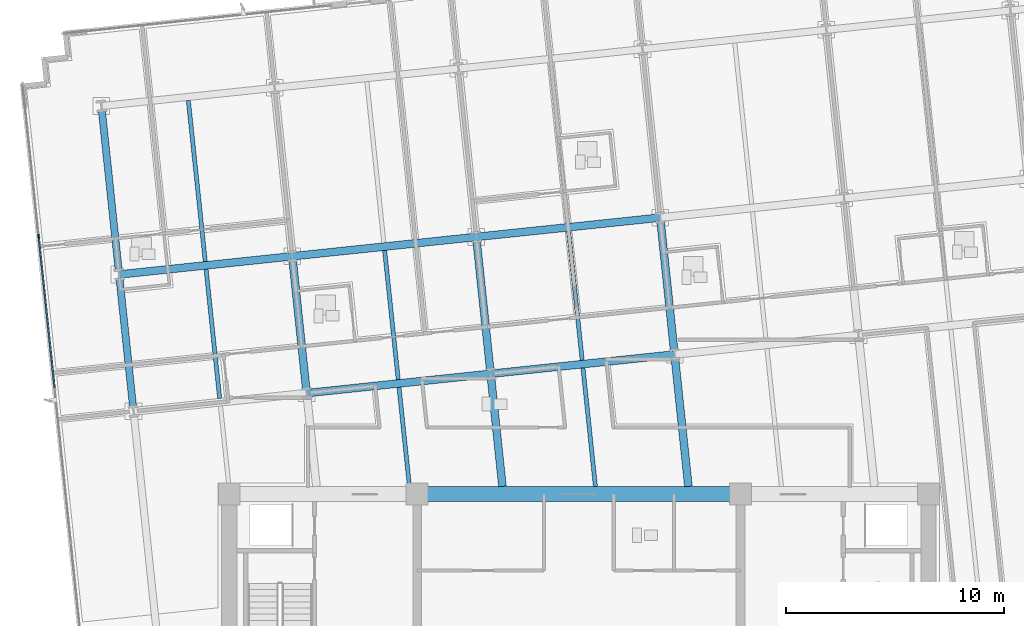
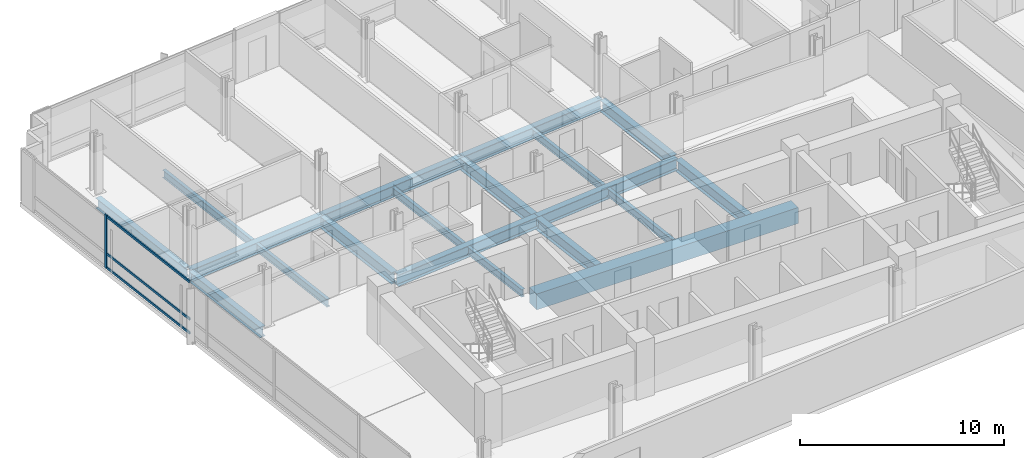
# One storey, part 3 of 20: 19 beams, 4 members, 1 element without a shape of its own.
"""IFC4 building model written with IfcOpenShell, lengths in metres."""

from ifc_helpers import new_model, si_unit, direction, frame, origin, origin_2d, place, context, subcontext, project, spatial, rectangle, i_section, extrude, material, material_profile, profile_set, type_object, element, aggregate, save


model = new_model("IFC4")

# Units and contexts
model_context = context("Model", 3, precision=1e-05, world=origin(), true_north=direction((0.0, 1.0)))
body_context = subcontext(model_context, "Body", "Model", "MODEL_VIEW")
ifc_project = project(units=[si_unit("LENGTHUNIT", "METRE"), si_unit("AREAUNIT", "SQUARE_METRE"), si_unit("VOLUMEUNIT", "CUBIC_METRE"), si_unit("PLANEANGLEUNIT", "RADIAN"), si_unit("MASSUNIT", "GRAM", prefix="KILO")], contexts=[model_context])

# Site, building, storey
site_placement = place(None, origin())
site = spatial("IfcSite", under=ifc_project, at=site_placement, CompositionType="ELEMENT")
building_placement = place(site_placement, origin())
building = spatial("IfcBuilding", under=site, at=building_placement, Name="Solmavex Isthmus Hotel", CompositionType="ELEMENT")
storey_placement = place(building_placement, frame((0.0, 0.0, 87.0)))
storey = spatial("IfcBuildingStorey", under=building, at=storey_placement, Name="L23", CompositionType="ELEMENT", Elevation=87.0)

# Beams
ifc_material_1 = material(Name="Steel ASTM A992 Grade 50", Category="steel")
ifc_material_profile_1 = material_profile(ifc_material_1, i_section(OverallWidth=0.354736328125, OverallDepth=0.695556640625, WebThickness=0.015380859375, FlangeThickness=0.02490234375, FilletRadius=0.017822265625, at=origin_2d()), Name="W27X146")
ifc_profile_set_1 = profile_set([ifc_material_profile_1], Name="Steel ASTM A992 Grade 50")
beam_type_1 = type_object("IfcBeamType", Name="BM-BG-W27X146", PredefinedType="BEAM", material=ifc_profile_set_1)
beam_1_placement = place(storey_placement, frame((-12.458740234375, 2.11865234375, -0.607666015625), z_axis=(0.994521085209, 0.104536171134, 0.0), x_axis=(-0.104536171134, 0.994521085209, 0.0)))
element("IfcBeam", 1, at=beam_1_placement, inside=storey, type_object=beam_type_1, Name="Floor Girder L23-UG08", PredefinedType="BEAM", context=body_context, shape_type="SweptSolid", body=[
    extrude(i_section(OverallWidth=0.354736328125, OverallDepth=0.695556640625, WebThickness=0.015380859375, FlangeThickness=0.02490234375, FilletRadius=0.017822265625, at=origin_2d()), origin(), (0.0, 0.0, 1.0), 8.466064453125),
])
beam_2_placement = place(storey_placement, frame((-4.0390625, 3.003662109375, -0.607666015625), z_axis=(0.994523767887, 0.104510645909, 0.0), x_axis=(-0.104510645909, 0.994523767887, 0.0)))
element("IfcBeam", 2, at=beam_2_placement, inside=storey, type_object=beam_type_1, Name="Floor Girder L23-UG09", PredefinedType="BEAM", context=body_context, shape_type="SweptSolid", body=[
    extrude(i_section(OverallWidth=0.354736328125, OverallDepth=0.695556640625, WebThickness=0.015380859375, FlangeThickness=0.02490234375, FilletRadius=0.017822265625, at=origin_2d()), origin(), (0.0, 0.0, 1.0), 8.4658203125),
])
beam_3_placement = place(storey_placement, frame((-21.04150390625, 7.54931640625, -0.607666015625), z_axis=(0.994523402738, 0.104514120609, 0.0), x_axis=(-0.104514120609, 0.994523402738, 0.0)))
element("IfcBeam", 3, at=beam_3_placement, inside=storey, type_object=beam_type_1, Name="Floor Girder L23-UG13", PredefinedType="BEAM", context=body_context, shape_type="SweptSolid", body=[
    extrude(i_section(OverallWidth=0.354736328125, OverallDepth=0.695556640625, WebThickness=0.015380859375, FlangeThickness=0.02490234375, FilletRadius=0.017822265625, at=origin_2d()), origin(), (0.0, 0.0, 1.0), 7.968017578125),
])
for number, where, z_axis, x_axis, name in (
    (4, (-13.1171875, 8.382080078125, -0.607666015625), (0.994521085209, 0.104536171134, 0.0), (-0.104536171134, 0.994521085209, 0.0), "Floor Girder L23-UG14"),
    (5, (-4.697509765625, 9.26708984375, -0.607666015625), (0.994521085209, 0.104536171134, 0.0), (-0.104536171134, 0.994521085209, 0.0), "Floor Girder L23-UG15"),
):
    element("IfcBeam", number, at=place(storey_placement, frame(where, z_axis=z_axis, x_axis=x_axis)), inside=storey, type_object=beam_type_1, Name=name, PredefinedType="BEAM", context=body_context, shape_type="SweptSolid", body=[
        extrude(i_section(OverallWidth=0.354736328125, OverallDepth=0.695556640625, WebThickness=0.015380859375, FlangeThickness=0.02490234375, FilletRadius=0.017822265625, at=origin_2d()), origin(), (0.0, 0.0, 1.0), 8.466064453125),
    ])
beam_4_placement = place(storey_placement, frame((-12.477294921875, 2.295166015625, -0.607666015625), z_axis=(-0.104545790518, 0.994520074048, 0.0), x_axis=(-0.994520074048, -0.104545790518, 0.0)))
element("IfcBeam", 6, at=beam_4_placement, inside=storey, type_object=beam_type_1, Name="Floor Beam L23-VG30", PredefinedType="BEAM", context=body_context, shape_type="SweptSolid", body=[
    extrude(i_section(OverallWidth=0.354736328125, OverallDepth=0.695556640625, WebThickness=0.015380859375, FlangeThickness=0.02490234375, FilletRadius=0.017822265625, at=origin_2d()), origin(), (0.0, 0.0, 1.0), 5.943115234375),
])
beam_5_placement = place(storey_placement, frame((-3.49755859375, -2.14990234375, -0.607666015625), z_axis=(-0.104496861251, 0.994525216366, 0.0), x_axis=(-0.994525216366, -0.104496861251, 0.0)))
element("IfcBeam", 7, at=beam_5_placement, inside=storey, type_object=beam_type_1, Name="Floor Beam L23-VG33", PredefinedType="BEAM", context=body_context, shape_type="SweptSolid", body=[
    extrude(i_section(OverallWidth=0.354736328125, OverallDepth=0.695556640625, WebThickness=0.015380859375, FlangeThickness=0.02490234375, FilletRadius=0.017822265625, at=origin_2d()), origin(), (0.0, 0.0, 1.0), 5.00439453125),
])
beam_6_placement = place(storey_placement, frame((-4.0576171875, 3.179931640625, -0.607666015625), z_axis=(-0.104545790518, 0.994520074048, 0.0), x_axis=(-0.994520074048, -0.104545790518, 0.0)))
element("IfcBeam", 8, at=beam_6_placement, inside=storey, type_object=beam_type_1, Name="Floor Beam L23-VG34", PredefinedType="BEAM", context=body_context, shape_type="SweptSolid", body=[
    extrude(i_section(OverallWidth=0.354736328125, OverallDepth=0.695556640625, WebThickness=0.015380859375, FlangeThickness=0.02490234375, FilletRadius=0.017822265625, at=origin_2d()), origin(), (0.0, 0.0, 1.0), 5.943115234375),
])
beam_7_placement = place(storey_placement, frame((5.01513671875, -2.14990234375, -0.607666015625), z_axis=(-0.104542482388, 0.994520421799, 0.0), x_axis=(-0.994520421799, -0.104542482388, 0.0)))
element("IfcBeam", 9, at=beam_7_placement, inside=storey, type_object=beam_type_1, Name="Floor Beam L23-VG37", PredefinedType="BEAM", context=body_context, shape_type="SweptSolid", body=[
    extrude(i_section(OverallWidth=0.354736328125, OverallDepth=0.695556640625, WebThickness=0.015380859375, FlangeThickness=0.02490234375, FilletRadius=0.017822265625, at=origin_2d()), origin(), (0.0, 0.0, 1.0), 5.894287109375),
])
beam_8_placement = place(storey_placement, frame((4.362060546875, 4.06494140625, -0.607666015625), z_axis=(-0.104545790518, 0.994520074048, 0.0), x_axis=(-0.994520074048, -0.104545790518, 0.0)))
element("IfcBeam", 10, at=beam_8_placement, inside=storey, type_object=beam_type_1, Name="Floor Beam L23-VG38", PredefinedType="BEAM", context=body_context, shape_type="SweptSolid", body=[
    extrude(i_section(OverallWidth=0.354736328125, OverallDepth=0.695556640625, WebThickness=0.015380859375, FlangeThickness=0.02490234375, FilletRadius=0.017822265625, at=origin_2d()), origin(), (0.0, 0.0, 1.0), 5.943115234375),
])
ifc_material_profile_2 = material_profile(ifc_material_1, i_section(OverallWidth=0.1904296875, OverallDepth=0.456787109375, WebThickness=0.009033203125, FlangeThickness=0.014404296875, FilletRadius=0.0126953125, at=origin_2d()), Name="W18X50")
ifc_profile_set_2 = profile_set([ifc_material_profile_2], Name="Steel ASTM A992 Grade 50")
beam_type_2 = type_object("IfcBeamType", Name="BM-BJ-W18X50", PredefinedType="JOIST", material=ifc_profile_set_2)
beam_9_placement = place(storey_placement, frame((-16.439453125, 1.878662109375, -0.488525390625), z_axis=(-0.104545790518, 0.994520074048, 0.0), x_axis=(-0.994520074048, -0.104545790518, 0.0)))
element("IfcBeam", 11, at=beam_9_placement, inside=storey, type_object=beam_type_2, Name="Secondary Floor Joist L23-J03", PredefinedType="JOIST", context=body_context, shape_type="SweptSolid", body=[
    extrude(i_section(OverallWidth=0.1904296875, OverallDepth=0.456787109375, WebThickness=0.009033203125, FlangeThickness=0.014404296875, FilletRadius=0.0126953125, at=origin_2d()), origin(), (0.0, 0.0, 1.0), 5.943115234375),
])
beam_10_placement = place(storey_placement, frame((-17.097900390625, 8.14208984375, -0.488525390625), z_axis=(-0.104525307271, 0.994522227072, 0.0), x_axis=(-0.994522227072, -0.104525307271, 0.0)))
element("IfcBeam", 12, at=beam_10_placement, inside=storey, type_object=beam_type_2, Name="Secondary Floor Joist L23-J04", PredefinedType="JOIST", context=body_context, shape_type="SweptSolid", body=[
    extrude(i_section(OverallWidth=0.1904296875, OverallDepth=0.456787109375, WebThickness=0.009033203125, FlangeThickness=0.014404296875, FilletRadius=0.0126953125, at=origin_2d()), origin(), (0.0, 0.0, 1.0), 7.4111328125),
])
beam_11_placement = place(storey_placement, frame((-7.75390625, -2.14990234375, -0.488525390625), z_axis=(-0.104517550263, 0.994523042311, 0.0), x_axis=(-0.994523042311, -0.104517550263, 0.0)))
element("IfcBeam", 13, at=beam_11_placement, inside=storey, type_object=beam_type_2, Name="Secondary Floor Joist L23-J06", PredefinedType="JOIST", context=body_context, shape_type="SweptSolid", body=[
    extrude(i_section(OverallWidth=0.1904296875, OverallDepth=0.456787109375, WebThickness=0.009033203125, FlangeThickness=0.014404296875, FilletRadius=0.0126953125, at=origin_2d()), origin(), (0.0, 0.0, 1.0), 4.5595703125),
])
beam_12_placement = place(storey_placement, frame((-8.267578125, 2.737548828125, -0.488525390625), z_axis=(-0.104505160346, 0.994524344328, 0.0), x_axis=(-0.994524344328, -0.104505160346, 0.0)))
element("IfcBeam", 14, at=beam_12_placement, inside=storey, type_object=beam_type_2, Name="Secondary Floor Joist L23-J07", PredefinedType="JOIST", context=body_context, shape_type="SweptSolid", body=[
    extrude(i_section(OverallWidth=0.1904296875, OverallDepth=0.456787109375, WebThickness=0.009033203125, FlangeThickness=0.014404296875, FilletRadius=0.0126953125, at=origin_2d()), origin(), (0.0, 0.0, 1.0), 5.943115234375),
])
beam_13_placement = place(storey_placement, frame((0.7587890625, -2.14990234375, -0.488525390625), z_axis=(-0.104523862956, 0.99452237887, 0.0), x_axis=(-0.99452237887, -0.104523862956, 0.0)))
element("IfcBeam", 15, at=beam_13_placement, inside=storey, type_object=beam_type_2, Name="Secondary Floor Joist L23-J10", PredefinedType="JOIST", context=body_context, shape_type="SweptSolid", body=[
    extrude(i_section(OverallWidth=0.1904296875, OverallDepth=0.456787109375, WebThickness=0.009033203125, FlangeThickness=0.014404296875, FilletRadius=0.0126953125, at=origin_2d()), origin(), (0.0, 0.0, 1.0), 5.44921875),
])
beam_14_placement = place(storey_placement, frame((0.152099609375, 3.62255859375, -0.488525390625), z_axis=(-0.104505160346, 0.994524344328, 0.0), x_axis=(-0.994524344328, -0.104505160346, 0.0)))
element("IfcBeam", 16, at=beam_14_placement, inside=storey, type_object=beam_type_2, Name="Secondary Floor Joist L23-J11", PredefinedType="JOIST", context=body_context, shape_type="SweptSolid", body=[
    extrude(i_section(OverallWidth=0.1904296875, OverallDepth=0.456787109375, WebThickness=0.009033203125, FlangeThickness=0.014404296875, FilletRadius=0.0126953125, at=origin_2d()), origin(), (0.0, 0.0, 1.0), 5.943115234375),
])
ifc_material_2 = material(Name="Concrete C60/75", Category="concrete")
ifc_material_profile_3 = material_profile(ifc_material_2, rectangle(XDim=0.699951171875, YDim=0.949951171875, at=origin_2d()), Name="RC700X950")
ifc_profile_set_3 = profile_set([ifc_material_profile_3], Name="Concrete C60/75")
beam_type_3 = type_object("IfcBeamType", Name="BM-CB-700X950", PredefinedType="BEAM", material=ifc_profile_set_3)
beam_15_placement = place(storey_placement, frame((-7.39990234375, -2.5, -0.735107421875), z_axis=(1.0, 0.0, 0.0), x_axis=(0.0, 1.0, 0.0)))
element("IfcBeam", 17, at=beam_15_placement, inside=storey, type_object=beam_type_3, Name="Core Coupling Beam L23-CB5", PredefinedType="BEAM", context=body_context, shape_type="SweptSolid", body=[
    extrude(rectangle(XDim=0.699951171875, YDim=0.949951171875, at=origin_2d()), origin(), (0.0, 0.0, 1.0), 14.7998046875),
])
ifc_material_profile_4 = material_profile(ifc_material_1, i_section(OverallWidth=0.326416015625, OverallDepth=0.621826171875, WebThickness=0.015380859375, FlangeThickness=0.0244140625, FilletRadius=0.01513671875, at=origin_2d()), Name="W24X131")
ifc_profile_set_4 = profile_set([ifc_material_profile_4], Name="Steel ASTM A992 Grade 50")
beam_type_4 = type_object("IfcBeamType", Name="BM-SP-W24X131", PredefinedType="SPANDREL", material=ifc_profile_set_4)
beam_16_placement = place(storey_placement, frame((-20.401611328125, 1.462158203125, -0.57080078125), z_axis=(-0.104545790518, 0.994520074048, 0.0), x_axis=(-0.994520074048, -0.104545790518, 0.0)))
element("IfcBeam", 18, at=beam_16_placement, inside=storey, type_object=beam_type_4, Name="Floor Beam L23-VG26", PredefinedType="SPANDREL", context=body_context, shape_type="SweptSolid", body=[
    extrude(i_section(OverallWidth=0.326416015625, OverallDepth=0.621826171875, WebThickness=0.015380859375, FlangeThickness=0.0244140625, FilletRadius=0.01513671875, at=origin_2d()), origin(), (0.0, 0.0, 1.0), 5.943115234375),
])
beam_17_placement = place(storey_placement, frame((-21.06005859375, 7.7255859375, -0.57080078125), z_axis=(-0.10452188296, 0.994522586964, 0.0), x_axis=(-0.994522586964, -0.10452188296, 0.0)))
element("IfcBeam", 19, at=beam_17_placement, inside=storey, type_object=beam_type_4, Name="Floor Beam L23-VG27", PredefinedType="SPANDREL", context=body_context, shape_type="SweptSolid", body=[
    extrude(i_section(OverallWidth=0.326416015625, OverallDepth=0.621826171875, WebThickness=0.015380859375, FlangeThickness=0.0244140625, FilletRadius=0.01513671875, at=origin_2d()), origin(), (0.0, 0.0, 1.0), 7.411376953125),
])

# Curtain wall, members
ifc_material_3 = material(Name="Aluminium alloy 6063-T6", Category="aluminium")
curtain_wall_type = type_object("IfcCurtainWallType", Name="CW-SYS-03", PredefinedType="NOTDEFINED", material=ifc_material_3)
curtain_wall_placement = place(storey_placement, origin())
curtain_wall = element("IfcCurtainWall", 20, at=curtain_wall_placement, inside=storey, type_object=curtain_wall_type, Name="Stick Curtain Wall CWL-L23-W1", PredefinedType="NOTDEFINED")
ifc_material_profile_5 = material_profile(ifc_material_3, rectangle(XDim=0.070068359375, YDim=0.179931640625, at=origin_2d()), Name="CWM-70X180")
ifc_profile_set_5 = profile_set([ifc_material_profile_5], Name="Aluminium alloy 6063-T6")
member_type_1 = type_object("IfcMemberType", Name="CW-SYS-03-MUL", PredefinedType="MULLION", material=ifc_profile_set_5)
member_1_placement = place(storey_placement, frame((-24.725341796875, 9.305908203125, 0.0), z_axis=(0.0, 0.0, 1.0), x_axis=(-0.994521893044, -0.104528485381, 0.0)))
member_1 = element("IfcMember", 21, at=member_1_placement, type_object=member_type_1, Name="CW-03 mullion 5", PredefinedType="MULLION", context=body_context, shape_type="SweptSolid", body=[
    extrude(rectangle(XDim=0.070068359375, YDim=0.179931640625, at=origin_2d()), origin(), (0.0, 0.0, 1.0), 3.18994140625),
])
ifc_material_profile_6 = material_profile(ifc_material_3, rectangle(XDim=0.070068359375, YDim=0.139892578125, at=origin_2d()), Name="CWT-70X140")
ifc_profile_set_6 = profile_set([ifc_material_profile_6], Name="Aluminium alloy 6063-T6")
member_type_2 = type_object("IfcMemberType", Name="CW-SYS-03-TRN", PredefinedType="USERDEFINED", material=ifc_profile_set_6)
member_2_placement = place(storey_placement, frame((-23.9951171875, 2.359130859375, 0.070068359375), z_axis=(-0.104542152467, 0.99452045648, 0.0), x_axis=(-0.99452045648, -0.104542152467, 0.0)))
member_2 = element("IfcMember", 22, at=member_2_placement, type_object=member_type_2, Name="CW-03 transom 4.1", ObjectType="TRANSOM", PredefinedType="USERDEFINED", context=body_context, shape_type="SweptSolid", body=[
    extrude(rectangle(XDim=0.070068359375, YDim=0.139892578125, at=origin_2d()), origin(), (0.0, 0.0, 1.0), 6.949951171875),
])
member_3_placement = place(storey_placement, frame((-23.9951171875, 2.359130859375, 0.89990234375), z_axis=(-0.104542152467, 0.99452045648, 0.0), x_axis=(-0.99452045648, -0.104542152467, 0.0)))
member_3 = element("IfcMember", 23, at=member_3_placement, type_object=member_type_2, Name="CW-03 transom 4.2", ObjectType="TRANSOM", PredefinedType="USERDEFINED", context=body_context, shape_type="SweptSolid", body=[
    extrude(rectangle(XDim=0.070068359375, YDim=0.139892578125, at=origin_2d()), origin(), (0.0, 0.0, 1.0), 6.949951171875),
])
member_4_placement = place(storey_placement, frame((-23.9951171875, 2.359130859375, 3.1201171875), z_axis=(-0.104542152467, 0.99452045648, 0.0), x_axis=(-0.99452045648, -0.104542152467, 0.0)))
member_4 = element("IfcMember", 24, at=member_4_placement, type_object=member_type_2, Name="CW-03 transom 4.3", ObjectType="TRANSOM", PredefinedType="USERDEFINED", context=body_context, shape_type="SweptSolid", body=[
    extrude(rectangle(XDim=0.070068359375, YDim=0.139892578125, at=origin_2d()), origin(), (0.0, 0.0, 1.0), 6.949951171875),
])
aggregate(curtain_wall, [member_1, member_2, member_3, member_4])

save(model, "model.ifc")
